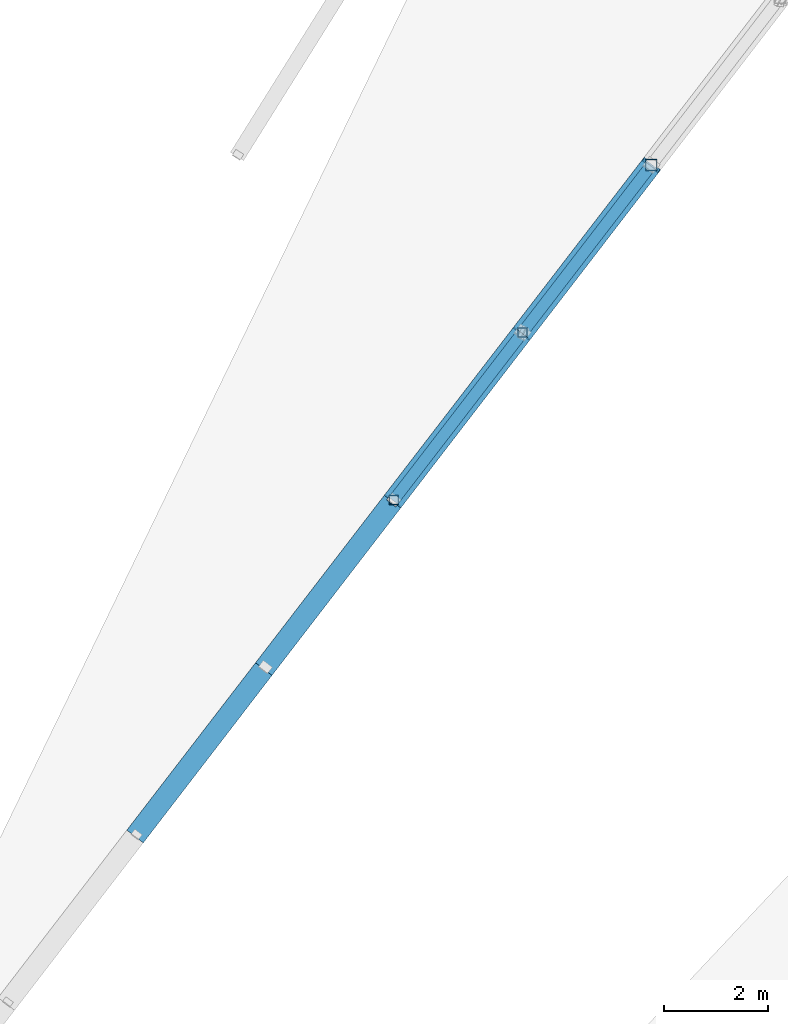
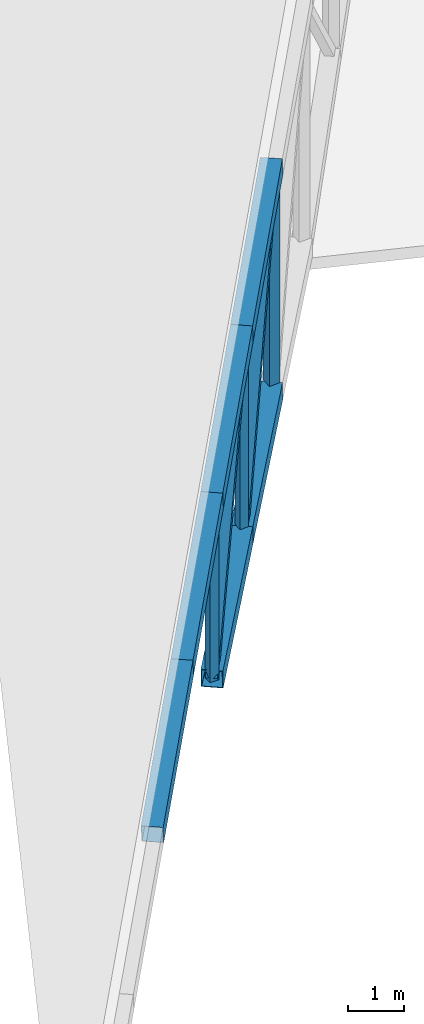
# One storey, part 98 of 188: 11 members.
"""IFC4 building model written with IfcOpenShell, lengths in metres."""

import ifcopenshell
import ifcopenshell.guid

model = None  # the IFC model being written
_history = None  # IfcOwnerHistory: only IFC2X3 demands one
_inside = {}  # id of a spatial element -> (the spatial element, [elements in it])
_under = {}  # id of a project, library or spatial element -> (it, [spatial elements below it])
_declared = {}  # id of a project -> (the project, [libraries it declares])
_typed = {}  # id of a type object -> (the type object, [elements of that type])
_made_of = {}  # id of a material, layer set ... -> (it, [elements and type objects made of it])


def new_model(schema):
    """Start an empty IFC model of exactly this schema.

    Asked for "IFC4X3", IfcOpenShell would pick the latest addendum, in which some entities
    have other attributes; the version numbers below select the first issue.
    IFC2X3 requires an IfcOwnerHistory on every rooted entity: one is made here for all.
    """
    global model, _history
    if schema == "IFC4X3":
        model = ifcopenshell.file(schema_version=(4, 3, 0, 0))
    else:
        model = ifcopenshell.file(schema=schema)
    _inside.clear()
    _under.clear()
    _declared.clear()
    _typed.clear()
    _made_of.clear()
    _history = None
    if model.schema == "IFC2X3":
        org = make("IfcOrganization", Name="unknown")
        user = make(
            "IfcPersonAndOrganization",
            ThePerson=make("IfcPerson", FamilyName="unknown"),
            TheOrganization=org,
        )
        app = make(
            "IfcApplication",
            ApplicationDeveloper=org,
            Version="unknown",
            ApplicationFullName="unknown",
            ApplicationIdentifier="unknown",
        )
        _history = make(
            "IfcOwnerHistory",
            OwningUser=user,
            OwningApplication=app,
            ChangeAction="ADDED",
            CreationDate=0,
        )
    return model


def make(cls, **values):
    """One entity of the class cls with the attributes given. An attribute that is None is left unset."""
    return model.create_entity(
        cls, **{name: value for name, value in values.items() if value is not None}
    )


def rooted(cls, **values):
    """An entity with a GlobalId (a new one), such as an element, a storey or a relation."""
    return make(cls, GlobalId=ifcopenshell.guid.new(), OwnerHistory=_history, **values)


def si_unit(unit_type, name, prefix=None):
    """IfcSIUnit, for example si_unit("LENGTHUNIT", "METRE", prefix="MILLI")."""
    return make("IfcSIUnit", UnitType=unit_type, Prefix=prefix, Name=name)


def assignment(units):
    """IfcUnitAssignment: the units of a project."""
    return None if units is None else make("IfcUnitAssignment", Units=units)


def point(xyz):
    """IfcCartesianPoint."""
    return None if xyz is None else make("IfcCartesianPoint", Coordinates=xyz)


def direction(xyz):
    """IfcDirection."""
    return None if xyz is None else make("IfcDirection", DirectionRatios=xyz)


def frame(location, z_axis=None, x_axis=None):
    """IfcAxis2Placement3D, a coordinate frame: its origin and axes. An axis left out is left unset."""
    return make(
        "IfcAxis2Placement3D",
        Location=point(location),
        Axis=direction(z_axis),
        RefDirection=direction(x_axis),
    )


def frame_2d(location, x_axis=None):
    """IfcAxis2Placement2D, a coordinate frame in the plane: its origin and x axis."""
    return make(
        "IfcAxis2Placement2D", Location=point(location), RefDirection=direction(x_axis)
    )


def origin():
    """The frame at (0, 0, 0) with its axes left unset."""
    return frame((0.0, 0.0, 0.0))


def origin_2d():
    """The frame at (0, 0) in the plane with its x axis left unset."""
    return frame_2d((0.0, 0.0))


def place(relative_to, where):
    """IfcLocalPlacement: puts the frame where relative to a parent placement (None: the world)."""
    return make(
        "IfcLocalPlacement", PlacementRelTo=relative_to, RelativePlacement=where
    )


def context(
    kind, dimensions, precision=None, world=None, true_north=None, identifier=None
):
    """IfcGeometricRepresentationContext, for example the 3D "Model" context."""
    return make(
        "IfcGeometricRepresentationContext",
        ContextIdentifier=identifier,
        ContextType=kind,
        CoordinateSpaceDimension=dimensions,
        Precision=precision,
        WorldCoordinateSystem=world,
        TrueNorth=true_north,
    )


def subcontext(parent, identifier, kind, view, scale=None):
    """IfcGeometricRepresentationSubContext, for example "Body" below "Model"."""
    return make(
        "IfcGeometricRepresentationSubContext",
        ContextIdentifier=identifier,
        ContextType=kind,
        ParentContext=parent,
        TargetScale=scale,
        TargetView=view,
    )


def project(units=None, contexts=None):
    """IfcProject with its units and contexts."""
    return rooted(
        "IfcProject",
        Name="project",
        RepresentationContexts=contexts,
        UnitsInContext=assignment(units),
    )


def spatial(cls, under=None, at=None, **own):
    """A site, building, storey or space (cls), placed at a placement, below another one or the project."""
    s = rooted(cls, ObjectPlacement=at, **own)
    if under is not None:
        _under.setdefault(under.id(), (under, []))[1].append(s)
    return s


def profile(cls, at=None, kind="AREA", **sizes):
    """A parametric profile (cls). Its sizes go by their IFC names, for example OverallWidth=200.0."""
    return make(cls, ProfileType=kind, Position=at, **sizes)


def hollow_rectangle(**sizes):
    """IfcRectangleHollowProfileDef."""
    return profile("IfcRectangleHollowProfileDef", **sizes)


def extrude(swept, where, along, depth):
    """IfcExtrudedAreaSolid: the profile swept, set in the frame where, extruded along a direction by depth."""
    return make(
        "IfcExtrudedAreaSolid",
        SweptArea=swept,
        Position=where,
        ExtrudedDirection=direction(along),
        Depth=depth,
    )


def shape(context_of_items, identifier, shape_type, items):
    """IfcShapeRepresentation: the items that make up one representation, for example the "Body"."""
    return make(
        "IfcShapeRepresentation",
        ContextOfItems=context_of_items,
        RepresentationIdentifier=identifier,
        RepresentationType=shape_type,
        Items=items,
    )


def material(Name=None, Category=None):
    """IfcMaterial."""
    return make("IfcMaterial", Name=Name, Category=Category)


def material_profile(
    of_material, cross_section, Name=None, Category=None, Priority=None
):
    """IfcMaterialProfile: a cross section and its material."""
    return make(
        "IfcMaterialProfile",
        Name=Name,
        Material=of_material,
        Profile=cross_section,
        Priority=Priority,
        Category=Category,
    )


def profile_set(profiles, Name=None, composite=None):
    """IfcMaterialProfileSet."""
    return make(
        "IfcMaterialProfileSet",
        Name=Name,
        MaterialProfiles=profiles,
        CompositeProfile=composite,
    )


def made_of(thing, what):
    """Note that an element or type object is made of a material, layer set ...; save() writes the relation."""
    if what is not None:
        _made_of.setdefault(what.id(), (what, []))[1].append(thing)
    return thing


def type_object(cls, material=None, **own):
    """A type object (cls), such as IfcWallType, which elements share."""
    return made_of(rooted(cls, **own), material)


def element(
    cls,
    number,
    at=None,
    inside=None,
    cuts=None,
    type_object=None,
    material=None,
    context=None,
    identifier="Body",
    shape_type=None,
    held_by="IfcProductDefinitionShape",
    body=None,
    shapes=None,
    **own,
):
    """One element of the class cls, such as IfcWall. Its Tag is "e" and its number.

    at: its placement. inside: the storey or other place that contains it. cuts: it is an
    opening in that element (IfcRelVoidsElement). A single representation is given by context,
    identifier, shape_type and body (its items); several are given by shapes. held_by: the class
    of the entity that holds the representations. save() writes the other relations.
    """
    e = rooted(cls, Tag="e%d" % number, ObjectPlacement=at, **own)
    if body is not None:
        shapes = [shape(context, identifier, shape_type, body)]
    if shapes is not None:
        e.Representation = make(held_by, Representations=shapes)
    if inside is not None:
        _inside.setdefault(inside.id(), (inside, []))[1].append(e)
    if cuts is not None:
        rooted(
            "IfcRelVoidsElement", RelatingBuildingElement=cuts, RelatedOpeningElement=e
        )
    if type_object is not None:
        _typed.setdefault(type_object.id(), (type_object, []))[1].append(e)
    return made_of(e, material)


def aggregate(whole, parts):
    """IfcRelAggregates: a whole, such as a stair, and the parts it consists of."""
    return rooted("IfcRelAggregates", RelatingObject=whole, RelatedObjects=parts)


def save(model, path):
    """Write the relations noted so far, then the file.

    IfcRelAggregates (storeys below a building ...), IfcRelContainedInSpatialStructure (elements
    in a storey), IfcRelDefinesByType, IfcRelAssociatesMaterial and IfcRelDeclares: one each for
    every whole, place, type object, material and project.
    """
    for whole, parts in _under.values():
        aggregate(whole, parts)
    for where, things in _inside.values():
        rooted(
            "IfcRelContainedInSpatialStructure",
            RelatedElements=things,
            RelatingStructure=where,
        )
    for kind, things in _typed.values():
        rooted("IfcRelDefinesByType", RelatedObjects=things, RelatingType=kind)
    for what, things in _made_of.values():
        rooted("IfcRelAssociatesMaterial", RelatedObjects=things, RelatingMaterial=what)
    for by, libraries in _declared.values():
        rooted("IfcRelDeclares", RelatingContext=by, RelatedDefinitions=libraries)
    model.write(path)


model = new_model("IFC4")

# Units and contexts
model_context = context("Model", 3, precision=1e-05, world=origin(), true_north=direction((0.0, 1.0)))
body_context = subcontext(model_context, "Body", "Model", "MODEL_VIEW")
ifc_project = project(units=[si_unit("LENGTHUNIT", "METRE"), si_unit("AREAUNIT", "SQUARE_METRE"), si_unit("VOLUMEUNIT", "CUBIC_METRE"), si_unit("PLANEANGLEUNIT", "RADIAN"), si_unit("MASSUNIT", "GRAM", prefix="KILO")], contexts=[model_context])

# Site, building, storey
site_placement = place(None, origin())
site = spatial("IfcSite", under=ifc_project, at=site_placement, CompositionType="ELEMENT")
building_placement = place(site_placement, origin())
building = spatial("IfcBuilding", under=site, at=building_placement, Name="Meseta Stadium", CompositionType="ELEMENT")
storey_placement = place(building_placement, frame((0.0, 0.0, 30.0)))
storey = spatial("IfcBuildingStorey", under=building, at=storey_placement, Name="ROOF", CompositionType="ELEMENT", Elevation=30.0)

# Members
ifc_material_1 = material(Name="Steel S355", Category="steel")
ifc_material_profile_1 = material_profile(ifc_material_1, hollow_rectangle(XDim=0.179931640625, YDim=0.179931640625, WallThickness=0.00634765625, at=origin_2d()), Name="SHS 180x180x6.3")
ifc_profile_set_1 = profile_set([ifc_material_profile_1], Name="Steel S355")
member_type_1 = type_object("IfcMemberType", Name="SHS 180x180x6.3 post", PredefinedType="POST", material=ifc_profile_set_1)
member_1_placement = place(storey_placement, frame((47.097900390625, 79.92236328125, 0.650634765625), z_axis=(0.0, 0.0, 1.0), x_axis=(1.0, 0.0, 0.0)))
element("IfcMember", 1, at=member_1_placement, inside=storey, type_object=member_type_1, Name="ROOF TRUSS RT-14 post", PredefinedType="POST", context=body_context, shape_type="SweptSolid", body=[
    extrude(hollow_rectangle(XDim=0.179931640625, YDim=0.179931640625, WallThickness=0.00634765625, at=origin_2d()), origin(), (0.0, 0.0, 1.0), 3.90869140625),
])
member_2_placement = place(storey_placement, frame((49.572998046875, 83.141357421875, 0.985107421875), z_axis=(0.0, 0.0, 1.0), x_axis=(1.0, 0.0, 0.0)))
element("IfcMember", 2, at=member_2_placement, inside=storey, type_object=member_type_1, Name="ROOF TRUSS RT-14 post", PredefinedType="POST", context=body_context, shape_type="SweptSolid", body=[
    extrude(hollow_rectangle(XDim=0.179931640625, YDim=0.179931640625, WallThickness=0.00634765625, at=origin_2d()), origin(), (0.0, 0.0, 1.0), 4.410400390625),
])
ifc_material_2 = material(Name="Steel S355", Category="steel")
ifc_material_profile_2 = material_profile(ifc_material_2, hollow_rectangle(XDim=0.219970703125, YDim=0.219970703125, WallThickness=0.008056640625, at=origin_2d()), Name="SHS 220x220x8")
ifc_profile_set_2 = profile_set([ifc_material_profile_2], Name="Steel S355")
member_type_2 = type_object("IfcMemberType", Name="SHS 220x220x8 diagonal", PredefinedType="BRACE", material=ifc_profile_set_2)
member_3_placement = place(storey_placement, frame((47.097900390625, 79.92236328125, 0.650634765625), z_axis=(0.396323408579, 0.515439351165, 0.759769722404), x_axis=(-0.792749139849, 0.609548030321, 0.0)))
element("IfcMember", 3, at=member_3_placement, inside=storey, type_object=member_type_2, Name="ROOF TRUSS RT-14 diagonal", PredefinedType="BRACE", context=body_context, shape_type="SweptSolid", body=[
    extrude(hollow_rectangle(XDim=0.219970703125, YDim=0.219970703125, WallThickness=0.008056640625, at=origin_2d()), origin(), (0.0, 0.0, 1.0), 6.2451171875),
])
member_4_placement = place(storey_placement, frame((49.572998046875, 83.141357421875, 0.985107421875), z_axis=(0.373072888255, 0.485200831687, 0.790820316493), x_axis=(-0.792749139849, 0.609548030321, 0.0)))
element("IfcMember", 4, at=member_4_placement, inside=storey, type_object=member_type_2, Name="ROOF TRUSS RT-14 diagonal", PredefinedType="BRACE", context=body_context, shape_type="SweptSolid", body=[
    extrude(hollow_rectangle(XDim=0.219970703125, YDim=0.219970703125, WallThickness=0.008056640625, at=origin_2d()), origin(), (0.0, 0.0, 1.0), 6.63427734375),
])
ifc_material_3 = material(Name="Steel S355", Category="steel")
ifc_material_profile_3 = material_profile(ifc_material_3, hollow_rectangle(XDim=0.219970703125, YDim=0.219970703125, WallThickness=0.008056640625, at=origin_2d()), Name="SHS 220x220x8")
ifc_profile_set_3 = profile_set([ifc_material_profile_3], Name="Steel S355")
member_type_3 = type_object("IfcMemberType", Name="SHS 220x220x8 post", PredefinedType="POST", material=ifc_profile_set_3)
member_5_placement = place(storey_placement, frame((52.048095703125, 86.3603515625, 1.3193359375), z_axis=(0.0, 0.0, 1.0), x_axis=(1.0, 0.0, 0.0)))
element("IfcMember", 5, at=member_5_placement, inside=storey, type_object=member_type_3, Name="ROOF TRUSS RT-14 post", PredefinedType="POST", context=body_context, shape_type="SweptSolid", body=[
    extrude(hollow_rectangle(XDim=0.219970703125, YDim=0.219970703125, WallThickness=0.008056640625, at=origin_2d()), origin(), (0.0, 0.0, 1.0), 4.912353515625),
])
ifc_material_4 = material(Name="Steel S355", Category="steel")
ifc_material_profile_4 = material_profile(ifc_material_4, hollow_rectangle(XDim=0.39990234375, YDim=0.39990234375, WallThickness=0.010009765625, at=origin_2d()), Name="SHS 400x400x10")
ifc_profile_set_4 = profile_set([ifc_material_profile_4], Name="Steel S355")
member_type_4 = type_object("IfcMemberType", Name="SHS 400x400x10 top chord", PredefinedType="CHORD", material=ifc_profile_set_4)
for number, where, z_axis, x_axis, name in (
    (6, (42.147705078125, 73.484375, 2.886962890625), (0.597020682494, 0.776456667852, 0.201696176518), (-0.792749139849, 0.609548030321, 0.0), "ROOF TRUSS RT-14 top chord"),
    (7, (44.622802734375, 76.703369140625, 3.72314453125), (0.597020682494, 0.776456667852, 0.201696176518), (-0.792749139849, 0.609548030321, 0.0), "ROOF TRUSS RT-14 top chord"),
    (8, (47.097900390625, 79.92236328125, 4.559326171875), (0.597020682494, 0.776456667852, 0.201696176518), (-0.792749139849, 0.609548030321, 0.0), "ROOF TRUSS RT-14 top chord"),
    (9, (49.572998046875, 83.141357421875, 5.3955078125), (0.597020682494, 0.776456667852, 0.201696176518), (-0.792749139849, 0.609548030321, 0.0), "ROOF TRUSS RT-14 top chord"),
):
    element("IfcMember", number, at=place(storey_placement, frame(where, z_axis=z_axis, x_axis=x_axis)), inside=storey, type_object=member_type_4, Name=name, PredefinedType="CHORD", context=body_context, shape_type="SweptSolid", body=[
        extrude(hollow_rectangle(XDim=0.39990234375, YDim=0.39990234375, WallThickness=0.010009765625, at=origin_2d()), origin(), (0.0, 0.0, 1.0), 4.145751953125),
    ])
ifc_material_5 = material(Name="Steel S355", Category="steel")
ifc_material_profile_5 = material_profile(ifc_material_5, hollow_rectangle(XDim=0.39990234375, YDim=0.39990234375, WallThickness=0.01416015625, at=origin_2d()), Name="SHS 400x400x14.2")
ifc_profile_set_5 = profile_set([ifc_material_profile_5], Name="Steel S355")
member_type_5 = type_object("IfcMemberType", Name="SHS 400x400x14.2 bottom chord", PredefinedType="CHORD", material=ifc_profile_set_5)
for number, where, z_axis, x_axis, name in (
    (10, (47.097900390625, 79.92236328125, 0.650634765625), (0.607490590337, 0.790073331386, 0.082093323019), (-0.792749139849, 0.609548030321, 0.0), "ROOF TRUSS RT-14 bottom chord"),
    (11, (49.572998046875, 83.141357421875, 0.985107421875), (0.60749357764, 0.790077216531, 0.08203380428), (-0.792749139849, 0.609548030321, 0.0), "ROOF TRUSS RT-14 bottom chord"),
):
    element("IfcMember", number, at=place(storey_placement, frame(where, z_axis=z_axis, x_axis=x_axis)), inside=storey, type_object=member_type_5, Name=name, PredefinedType="CHORD", context=body_context, shape_type="SweptSolid", body=[
        extrude(hollow_rectangle(XDim=0.39990234375, YDim=0.39990234375, WallThickness=0.01416015625, at=origin_2d()), origin(), (0.0, 0.0, 1.0), 4.07421875),
    ])

save(model, "model.ifc")
